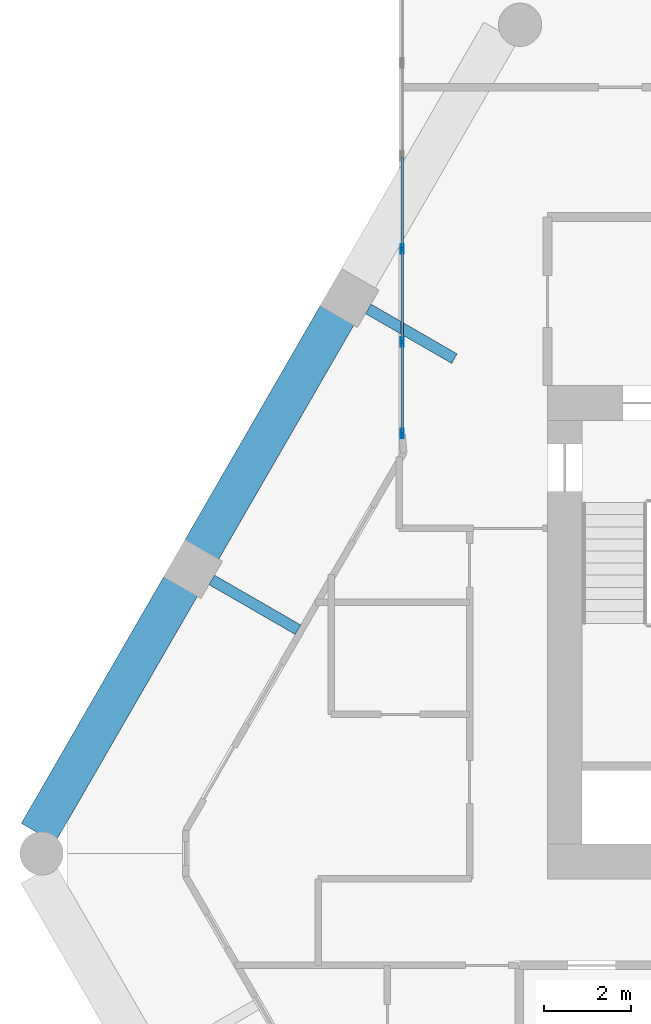
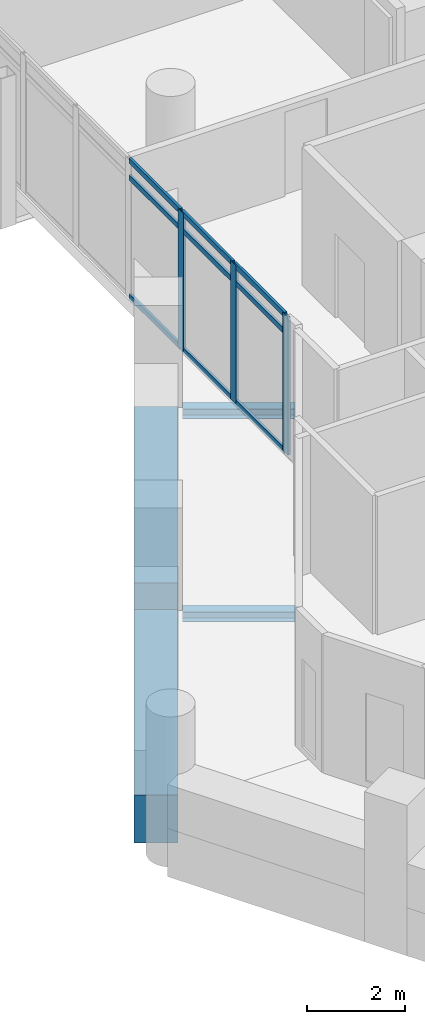
# One storey, part 12 of 29: 12 members, 4 beams, 1 element without a shape of its own.
"""IFC4 building model written with IfcOpenShell, lengths in metres."""

from ifc_helpers import new_model, si_unit, direction, frame, origin, origin_2d, place, context, subcontext, project, spatial, rectangle, hollow_rectangle, i_section, extrude, material, material_profile, profile_set, type_object, element, aggregate, save


model = new_model("IFC4")

# Units and contexts
model_context = context("Model", 3, precision=1e-05, world=origin(), true_north=direction((0.0, 1.0)))
body_context = subcontext(model_context, "Body", "Model", "MODEL_VIEW")
ifc_project = project(units=[si_unit("LENGTHUNIT", "METRE"), si_unit("AREAUNIT", "SQUARE_METRE"), si_unit("VOLUMEUNIT", "CUBIC_METRE"), si_unit("PLANEANGLEUNIT", "RADIAN"), si_unit("MASSUNIT", "GRAM", prefix="KILO")], contexts=[model_context])

# Site, building, storey
site_placement = place(None, origin())
site = spatial("IfcSite", under=ifc_project, at=site_placement, CompositionType="ELEMENT")
building_placement = place(site_placement, origin())
building = spatial("IfcBuilding", under=site, at=building_placement, Name="Ostrander Bayou Hotel Tower", CompositionType="ELEMENT")
storey_placement = place(building_placement, frame((0.0, 0.0, 202.0)))
storey = spatial("IfcBuildingStorey", under=building, at=storey_placement, Name="L50", CompositionType="ELEMENT", Elevation=202.0)

# Curtain wall, members
ifc_material_1 = material(Name="Aluminium and clear glass", Category="aluminium")
curtain_wall_type = type_object("IfcCurtainWallType", Name="CW-BAR glazed wall", PredefinedType="NOTDEFINED", material=ifc_material_1)
curtain_wall_placement = place(storey_placement, origin())
curtain_wall = element("IfcCurtainWall", 1, at=curtain_wall_placement, inside=storey, type_object=curtain_wall_type, Name="CW-BAR L50:SB4N:E", PredefinedType="NOTDEFINED")
ifc_material_2 = material(Name="Aluminium", Category="aluminium")
ifc_material_profile_1 = material_profile(ifc_material_2, hollow_rectangle(XDim=0.06005859375, YDim=0.219970703125, WallThickness=0.00390625, at=origin_2d()))
ifc_profile_set_1 = profile_set([ifc_material_profile_1], Name="Aluminium")
member_type_1 = type_object("IfcMemberType", Name="CW-BR mullion 60 x 220 mm", PredefinedType="MULLION", material=ifc_profile_set_1)
member_1_placement = place(storey_placement, frame((-11.857177734375, 8.594482421875, 0.0), z_axis=(0.0, 0.0, 1.0), x_axis=(-1.0, 0.0, 0.0)))
member_1 = element("IfcMember", 2, at=member_1_placement, type_object=member_type_1, Name="CW-BAR mullion 1", PredefinedType="MULLION", context=body_context, shape_type="SweptSolid", body=[
    extrude(hollow_rectangle(XDim=0.06005859375, YDim=0.219970703125, WallThickness=0.00390625, at=origin_2d()), origin(), (0.0, 0.0, 1.0), 3.449951171875),
])
member_2_placement = place(storey_placement, frame((-11.857177734375, 10.714599609375, 0.0), z_axis=(0.0, 0.0, 1.0), x_axis=(-1.0, 0.0, 0.0)))
member_2 = element("IfcMember", 3, at=member_2_placement, type_object=member_type_1, Name="CW-BAR mullion 2", PredefinedType="MULLION", context=body_context, shape_type="SweptSolid", body=[
    extrude(hollow_rectangle(XDim=0.06005859375, YDim=0.219970703125, WallThickness=0.00390625, at=origin_2d()), origin(), (0.0, 0.0, 1.0), 3.449951171875),
])
member_3_placement = place(storey_placement, frame((-11.857177734375, 12.86474609375, 0.0), z_axis=(0.0, 0.0, 1.0), x_axis=(-1.0, 0.0, 0.0)))
member_3 = element("IfcMember", 4, at=member_3_placement, type_object=member_type_1, Name="CW-BAR mullion 3", PredefinedType="MULLION", context=body_context, shape_type="SweptSolid", body=[
    extrude(hollow_rectangle(XDim=0.06005859375, YDim=0.219970703125, WallThickness=0.00390625, at=origin_2d()), origin(), (0.0, 0.0, 1.0), 3.449951171875),
])
ifc_material_3 = material(Name="Aluminium", Category="aluminium")
ifc_material_profile_2 = material_profile(ifc_material_3, hollow_rectangle(XDim=0.06005859375, YDim=0.1298828125, WallThickness=0.00390625, at=origin_2d()))
ifc_profile_set_2 = profile_set([ifc_material_profile_2], Name="Aluminium")
member_type_2 = type_object("IfcMemberType", Name="CW-BR transom 60 x 130 mm", PredefinedType="USERDEFINED", material=ifc_profile_set_2)
member_4_placement = place(storey_placement, frame((-11.857177734375, 8.62451171875, 0.030029296875), z_axis=(0.0, 1.0, 0.0), x_axis=(-1.0, 0.0, 0.0)))
member_4 = element("IfcMember", 5, at=member_4_placement, type_object=member_type_2, Name="CW-BAR transom 1.1", ObjectType="TRANSOM", PredefinedType="USERDEFINED", context=body_context, shape_type="SweptSolid", body=[
    extrude(hollow_rectangle(XDim=0.06005859375, YDim=0.1298828125, WallThickness=0.00390625, at=origin_2d()), origin(), (0.0, 0.0, 1.0), 2.06005859375),
])
member_5_placement = place(storey_placement, frame((-11.857177734375, 8.62451171875, 3.0), z_axis=(0.0, 1.0, 0.0), x_axis=(-1.0, 0.0, 0.0)))
member_5 = element("IfcMember", 6, at=member_5_placement, type_object=member_type_2, Name="CW-BAR transom 1.2", ObjectType="TRANSOM", PredefinedType="USERDEFINED", context=body_context, shape_type="SweptSolid", body=[
    extrude(hollow_rectangle(XDim=0.06005859375, YDim=0.1298828125, WallThickness=0.00390625, at=origin_2d()), origin(), (0.0, 0.0, 1.0), 2.06005859375),
])
member_6_placement = place(storey_placement, frame((-11.857177734375, 8.62451171875, 3.419921875), z_axis=(0.0, 1.0, 0.0), x_axis=(-1.0, 0.0, 0.0)))
member_6 = element("IfcMember", 7, at=member_6_placement, type_object=member_type_2, Name="CW-BAR transom 1.3", ObjectType="TRANSOM", PredefinedType="USERDEFINED", context=body_context, shape_type="SweptSolid", body=[
    extrude(hollow_rectangle(XDim=0.06005859375, YDim=0.1298828125, WallThickness=0.00390625, at=origin_2d()), origin(), (0.0, 0.0, 1.0), 2.06005859375),
])
member_7_placement = place(storey_placement, frame((-11.857177734375, 10.74462890625, 0.030029296875), z_axis=(0.0, 1.0, 0.0), x_axis=(-1.0, 0.0, 0.0)))
member_7 = element("IfcMember", 8, at=member_7_placement, type_object=member_type_2, Name="CW-BAR transom 2.1", ObjectType="TRANSOM", PredefinedType="USERDEFINED", context=body_context, shape_type="SweptSolid", body=[
    extrude(hollow_rectangle(XDim=0.06005859375, YDim=0.1298828125, WallThickness=0.00390625, at=origin_2d()), origin(), (0.0, 0.0, 1.0), 2.090087890625),
])
member_8_placement = place(storey_placement, frame((-11.857177734375, 10.74462890625, 3.0), z_axis=(0.0, 1.0, 0.0), x_axis=(-1.0, 0.0, 0.0)))
member_8 = element("IfcMember", 9, at=member_8_placement, type_object=member_type_2, Name="CW-BAR transom 2.2", ObjectType="TRANSOM", PredefinedType="USERDEFINED", context=body_context, shape_type="SweptSolid", body=[
    extrude(hollow_rectangle(XDim=0.06005859375, YDim=0.1298828125, WallThickness=0.00390625, at=origin_2d()), origin(), (0.0, 0.0, 1.0), 2.090087890625),
])
member_9_placement = place(storey_placement, frame((-11.857177734375, 10.74462890625, 3.419921875), z_axis=(0.0, 1.0, 0.0), x_axis=(-1.0, 0.0, 0.0)))
member_9 = element("IfcMember", 10, at=member_9_placement, type_object=member_type_2, Name="CW-BAR transom 2.3", ObjectType="TRANSOM", PredefinedType="USERDEFINED", context=body_context, shape_type="SweptSolid", body=[
    extrude(hollow_rectangle(XDim=0.06005859375, YDim=0.1298828125, WallThickness=0.00390625, at=origin_2d()), origin(), (0.0, 0.0, 1.0), 2.090087890625),
])
member_10_placement = place(storey_placement, frame((-11.857177734375, 12.894775390625, 0.030029296875), z_axis=(0.0, 1.0, 0.0), x_axis=(-1.0, 0.0, 0.0)))
member_10 = element("IfcMember", 11, at=member_10_placement, type_object=member_type_2, Name="CW-BAR transom 3.1", ObjectType="TRANSOM", PredefinedType="USERDEFINED", context=body_context, shape_type="SweptSolid", body=[
    extrude(hollow_rectangle(XDim=0.06005859375, YDim=0.1298828125, WallThickness=0.00390625, at=origin_2d()), origin(), (0.0, 0.0, 1.0), 2.090087890625),
])
member_11_placement = place(storey_placement, frame((-11.857177734375, 12.894775390625, 3.0), z_axis=(0.0, 1.0, 0.0), x_axis=(-1.0, 0.0, 0.0)))
member_11 = element("IfcMember", 12, at=member_11_placement, type_object=member_type_2, Name="CW-BAR transom 3.2", ObjectType="TRANSOM", PredefinedType="USERDEFINED", context=body_context, shape_type="SweptSolid", body=[
    extrude(hollow_rectangle(XDim=0.06005859375, YDim=0.1298828125, WallThickness=0.00390625, at=origin_2d()), origin(), (0.0, 0.0, 1.0), 2.090087890625),
])
member_12_placement = place(storey_placement, frame((-11.857177734375, 12.894775390625, 3.419921875), z_axis=(0.0, 1.0, 0.0), x_axis=(-1.0, 0.0, 0.0)))
member_12 = element("IfcMember", 13, at=member_12_placement, type_object=member_type_2, Name="CW-BAR transom 3.3", ObjectType="TRANSOM", PredefinedType="USERDEFINED", context=body_context, shape_type="SweptSolid", body=[
    extrude(hollow_rectangle(XDim=0.06005859375, YDim=0.1298828125, WallThickness=0.00390625, at=origin_2d()), origin(), (0.0, 0.0, 1.0), 2.090087890625),
])
aggregate(curtain_wall, [member_1, member_2, member_3, member_4, member_5, member_6, member_7, member_8, member_9, member_10, member_11, member_12])

# Beams
ifc_material_4 = material(Name="Steel ASTM A992", Category="steel")
ifc_material_profile_3 = material_profile(ifc_material_4, i_section(OverallWidth=0.25390625, OverallDepth=0.25341796875, WebThickness=0.008544921875, FlangeThickness=0.01416015625, at=origin_2d()))
ifc_profile_set_3 = profile_set([ifc_material_profile_3], Name="Steel ASTM A992")
beam_type_1 = type_object("IfcBeamType", Name="LB2 loggia bracket W10x49", PredefinedType="BEAM", material=ifc_profile_set_3)
beam_1_placement = place(storey_placement, frame((-12.642578125, 11.476806640625, -0.4267578125), z_axis=(0.866053019151, -0.499952165731, 0.0), x_axis=(0.499952165731, 0.866053019151, 0.0)))
element("IfcBeam", 14, at=beam_1_placement, inside=storey, type_object=beam_type_1, Name="LB2 L50 NW1", PredefinedType="BEAM", context=body_context, shape_type="SweptSolid", body=[
    extrude(i_section(OverallWidth=0.25390625, OverallDepth=0.25341796875, WebThickness=0.008544921875, FlangeThickness=0.01416015625, at=origin_2d()), origin(), (0.0, 0.0, 1.0), 2.300048828125),
])
beam_2_placement = place(storey_placement, frame((-16.260498046875, 5.210205078125, -0.4267578125), z_axis=(0.86602648383, -0.499998129301, 0.0), x_axis=(0.499998129301, 0.86602648383, 0.0)))
element("IfcBeam", 15, at=beam_2_placement, inside=storey, type_object=beam_type_1, Name="LB2 L50 NW2", PredefinedType="BEAM", context=body_context, shape_type="SweptSolid", body=[
    extrude(i_section(OverallWidth=0.25390625, OverallDepth=0.25341796875, WebThickness=0.008544921875, FlangeThickness=0.01416015625, at=origin_2d()), origin(), (0.0, 0.0, 1.0), 2.2998046875),
])
ifc_material_5 = material(Name="Concrete f'c 60 MPa", Category="concrete")
ifc_material_profile_4 = material_profile(ifc_material_5, rectangle(XDim=0.89990234375, YDim=1.199951171875, at=origin_2d()))
ifc_profile_set_4 = profile_set([ifc_material_profile_4], Name="Concrete f'c 60 MPa")
beam_type_2 = type_object("IfcBeamType", Name="SP3 spandrel beam 900 x 1200 mm f'c 60 MPa", PredefinedType="SPANDREL", material=ifc_profile_set_4)
beam_3_placement = place(storey_placement, frame((-13.353759765625, 11.344970703125, -0.60009765625), z_axis=(-0.500013351051, -0.866017695414, 0.0), x_axis=(0.866017695414, -0.500013351051, 0.0)))
element("IfcBeam", 16, at=beam_3_placement, inside=storey, type_object=beam_type_2, Name="SP3 L50 NW-2", PredefinedType="SPANDREL", context=body_context, shape_type="SweptSolid", body=[
    extrude(rectangle(XDim=0.89990234375, YDim=1.199951171875, at=origin_2d()), origin(), (0.0, 0.0, 1.0), 6.296142578125),
])
beam_4_placement = place(storey_placement, frame((-16.971923828125, 5.078125, -0.60009765625), z_axis=(-0.500010360262, -0.866019422202, 0.0), x_axis=(0.866019422202, -0.500010360262, 0.0)))
element("IfcBeam", 17, at=beam_4_placement, inside=storey, type_object=beam_type_2, Name="SP3 L50 NW-3", PredefinedType="SPANDREL", context=body_context, shape_type="SweptSolid", body=[
    extrude(rectangle(XDim=0.89990234375, YDim=1.199951171875, at=origin_2d()), origin(), (0.0, 0.0, 1.0), 6.606201171875),
])

save(model, "model.ifc")
